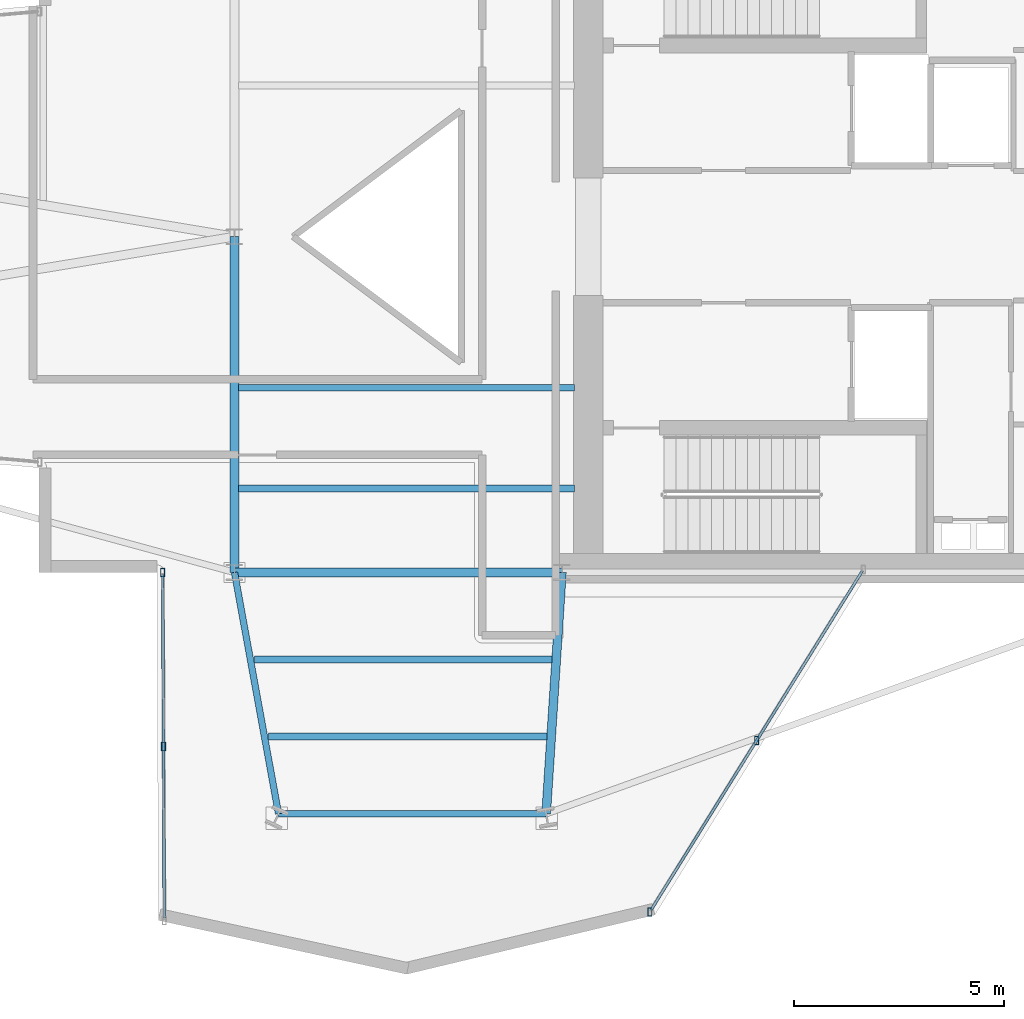
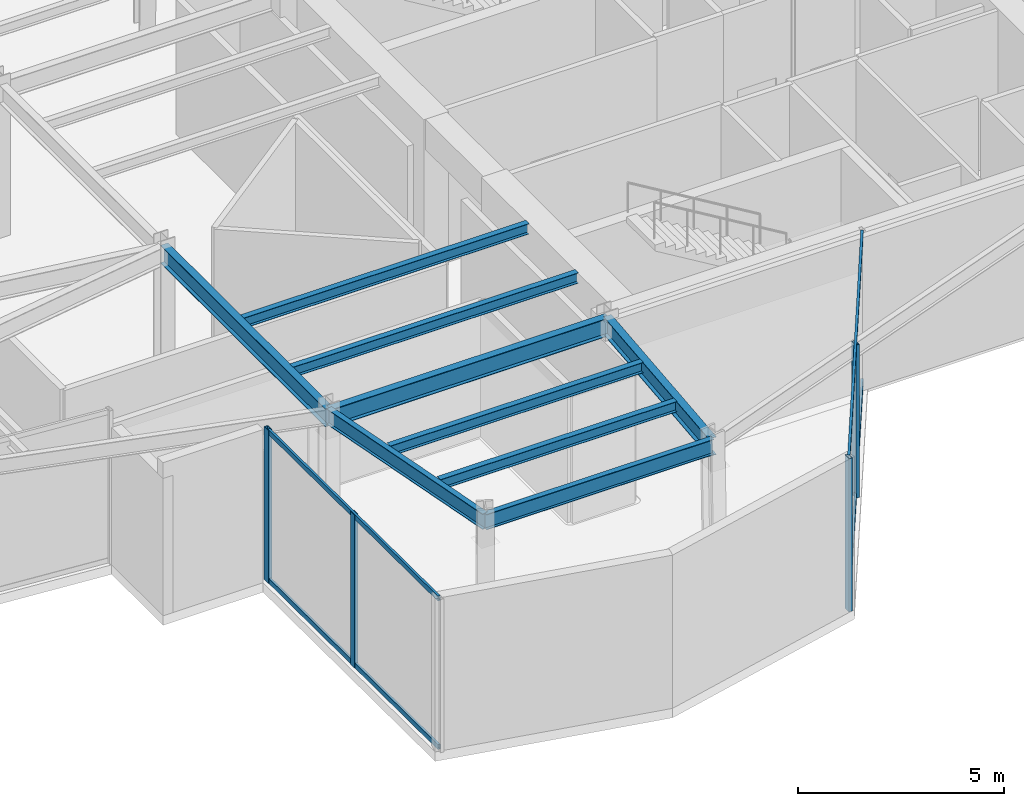
# One storey, part 3 of 14: 9 beams, 8 members, 2 elements without a shape of their own.
"""IFC4 building model written with IfcOpenShell, lengths in metres."""

from ifc_helpers import new_model, si_unit, direction, frame, origin, origin_2d, place, context, subcontext, project, spatial, hollow_rectangle, i_section, extrude, material, layer, layer_set, material_profile, profile_set, type_object, element, aggregate, save


model = new_model("IFC4")

# Units and contexts
model_context = context("Model", 3, precision=1e-05, world=origin(), true_north=direction((0.0, 1.0)))
body_context = subcontext(model_context, "Body", "Model", "MODEL_VIEW")
ifc_project = project(units=[si_unit("LENGTHUNIT", "METRE"), si_unit("AREAUNIT", "SQUARE_METRE"), si_unit("VOLUMEUNIT", "CUBIC_METRE"), si_unit("PLANEANGLEUNIT", "RADIAN"), si_unit("MASSUNIT", "GRAM", prefix="KILO")], contexts=[model_context])

# Site, building, storey
site_placement = place(None, origin())
site = spatial("IfcSite", under=ifc_project, at=site_placement, CompositionType="ELEMENT")
building_placement = place(site_placement, origin())
building = spatial("IfcBuilding", under=site, at=building_placement, Name="Veymaron Broadcast Tower", CompositionType="ELEMENT")
storey_placement = place(building_placement, frame((0.0, 0.0, 187.050048828125)))
storey = spatial("IfcBuildingStorey", under=building, at=storey_placement, Name="L43", CompositionType="ELEMENT", Elevation=187.050048828125)

# Beams
ifc_material_1 = material(Name="Structural steel ASTM A992 Gr 50", Category="steel")
ifc_material_profile_1 = material_profile(ifc_material_1, i_section(OverallWidth=0.2099609375, OverallDepth=0.537109375, WebThickness=0.010986328125, FlangeThickness=0.017333984375, at=origin_2d()), Name="W530X101")
ifc_profile_set_1 = profile_set([ifc_material_profile_1], Name="Structural steel ASTM A992 Gr 50")
beam_type_1 = type_object("IfcBeamType", Name="BM-FG3", PredefinedType="BEAM", material=ifc_profile_set_1)
beam_1_placement = place(storey_placement, frame((31.199951171875, 16.0, 4.271484375), z_axis=(0.0, 1.0, 0.0), x_axis=(-1.0, 0.0, 0.0)))
element("IfcBeam", 1, at=beam_1_placement, inside=storey, type_object=beam_type_1, Name="L43 primary structural floor girder", PredefinedType="BEAM", context=body_context, shape_type="SweptSolid", body=[
    extrude(i_section(OverallWidth=0.2099609375, OverallDepth=0.537109375, WebThickness=0.010986328125, FlangeThickness=0.017333984375, at=origin_2d()), origin(), (0.0, 0.0, 1.0), 8.0),
])
beam_2_placement = place(storey_placement, frame((31.199951171875, 16.0, 4.271484375), z_axis=(1.0, 0.0, 0.0), x_axis=(0.0, 1.0, 0.0)))
element("IfcBeam", 2, at=beam_2_placement, inside=storey, type_object=beam_type_1, Name="L43 primary structural floor girder", PredefinedType="BEAM", context=body_context, shape_type="SweptSolid", body=[
    extrude(i_section(OverallWidth=0.2099609375, OverallDepth=0.537109375, WebThickness=0.010986328125, FlangeThickness=0.017333984375, at=origin_2d()), origin(), (0.0, 0.0, 1.0), 7.800048828125),
])
beam_3_placement = place(storey_placement, frame((39.0, 16.0, 4.271484375), z_axis=(-0.065079137346, -0.997880105966, 0.0), x_axis=(0.997880105966, -0.065079137346, 0.0)))
element("IfcBeam", 3, at=beam_3_placement, inside=storey, type_object=beam_type_1, Name="L43 primary structural floor girder", PredefinedType="BEAM", context=body_context, shape_type="SweptSolid", body=[
    extrude(i_section(OverallWidth=0.2099609375, OverallDepth=0.537109375, WebThickness=0.010986328125, FlangeThickness=0.017333984375, at=origin_2d()), origin(), (0.0, 0.0, 1.0), 5.76220703125),
])
ifc_material_profile_2 = material_profile(ifc_material_1, i_section(OverallWidth=0.1650390625, OverallDepth=0.31005859375, WebThickness=0.005859375, FlangeThickness=0.009765625, at=origin_2d()), Name="W310X39")
ifc_profile_set_2 = profile_set([ifc_material_profile_2], Name="Structural steel ASTM A992 Gr 50")
beam_type_2 = type_object("IfcBeamType", Name="BM-JS3", PredefinedType="JOIST", material=ifc_profile_set_2)
beam_4_placement = place(storey_placement, frame((31.677978515625, 13.929931640625, 4.385009765625), z_axis=(1.0, 0.0, 0.0), x_axis=(0.0, 1.0, 0.0)))
element("IfcBeam", 4, at=beam_4_placement, inside=storey, type_object=beam_type_2, Name="L43 Arm-C secondary joist 1", PredefinedType="JOIST", context=body_context, shape_type="SweptSolid", body=[
    extrude(i_section(OverallWidth=0.1650390625, OverallDepth=0.31005859375, WebThickness=0.005859375, FlangeThickness=0.009765625, at=origin_2d()), origin(), (0.0, 0.0, 1.0), 7.0869140625),
])
beam_5_placement = place(storey_placement, frame((32.013916015625, 12.090087890625, 4.385009765625), z_axis=(1.0, 0.0, 0.0), x_axis=(0.0, 1.0, 0.0)))
element("IfcBeam", 5, at=beam_5_placement, inside=storey, type_object=beam_type_2, Name="L43 Arm-C secondary joist 2", PredefinedType="JOIST", context=body_context, shape_type="SweptSolid", body=[
    extrude(i_section(OverallWidth=0.1650390625, OverallDepth=0.31005859375, WebThickness=0.005859375, FlangeThickness=0.009765625, at=origin_2d()), origin(), (0.0, 0.0, 1.0), 6.631103515625),
])
for number, where, z_axis, x_axis, name in (
    (6, (31.300048828125, 18.0, 4.385009765625), (1.0, 0.0, 0.0), (0.0, 1.0, 0.0), "L43 Hub secondary joist 1"),
    (7, (31.300048828125, 20.39990234375, 4.385009765625), (1.0, 0.0, 0.0), (0.0, 1.0, 0.0), "L43 Hub secondary joist 2"),
):
    element("IfcBeam", number, at=place(storey_placement, frame(where, z_axis=z_axis, x_axis=x_axis)), inside=storey, type_object=beam_type_2, Name=name, PredefinedType="JOIST", context=body_context, shape_type="SweptSolid", body=[
        extrude(i_section(OverallWidth=0.1650390625, OverallDepth=0.31005859375, WebThickness=0.005859375, FlangeThickness=0.009765625, at=origin_2d()), origin(), (0.0, 0.0, 1.0), 8.0),
    ])
ifc_material_profile_3 = material_profile(ifc_material_1, i_section(OverallWidth=0.154052734375, OverallDepth=0.458984375, WebThickness=0.009033203125, FlangeThickness=0.015380859375, at=origin_2d()), Name="W460X68")
ifc_profile_set_3 = profile_set([ifc_material_profile_3], Name="Structural steel ASTM A992 Gr 50")
beam_type_3 = type_object("IfcBeamType", Name="BM-SP2", PredefinedType="SPANDREL", material=ifc_profile_set_3)
beam_6_placement = place(storey_placement, frame((31.199951171875, 16.0, 4.310546875), z_axis=(0.179646239371, -0.983731278693, 0.0), x_axis=(0.983731278693, 0.179646239371, 0.0)))
element("IfcBeam", 8, at=beam_6_placement, inside=storey, type_object=beam_type_3, Name="L43 primary structural floor girder", PredefinedType="SPANDREL", context=body_context, shape_type="SweptSolid", body=[
    extrude(i_section(OverallWidth=0.154052734375, OverallDepth=0.458984375, WebThickness=0.009033203125, FlangeThickness=0.015380859375, at=origin_2d()), origin(), (0.0, 0.0, 1.0), 5.844970703125),
])
beam_7_placement = place(storey_placement, frame((32.25, 10.25, 4.310546875), z_axis=(1.0, 0.0, 0.0), x_axis=(0.0, 1.0, 0.0)))
element("IfcBeam", 9, at=beam_7_placement, inside=storey, type_object=beam_type_3, Name="L43 primary structural floor girder", PredefinedType="SPANDREL", context=body_context, shape_type="SweptSolid", body=[
    extrude(i_section(OverallWidth=0.154052734375, OverallDepth=0.458984375, WebThickness=0.009033203125, FlangeThickness=0.015380859375, at=origin_2d()), origin(), (0.0, 0.0, 1.0), 6.375),
])

# Curtain wall, members
ifc_material_2 = material(Name="Anodised aluminium AA 6063-T6 and laminated low-E dark glass", Category="aluminium")
ifc_layer = layer(ifc_material_2, 0.179931640625)
ifc_layer_set = layer_set([ifc_layer], Name="Anodised aluminium AA 6063-T6 and laminated low-E dark glass")
curtain_wall_type = type_object("IfcCurtainWallType", Name="CW-SYS-04", PredefinedType="NOTDEFINED", material=ifc_layer_set)
curtain_wall_1_placement = place(storey_placement, origin())
curtain_wall_1 = element("IfcCurtainWall", 10, at=curtain_wall_1_placement, inside=storey, type_object=curtain_wall_type, Name="L43 dark-glass curtain wall CW-L43-E17-1", PredefinedType="NOTDEFINED")
ifc_material_3 = material(Name="Anodised aluminium AA 6063-T6", Category="aluminium")
ifc_material_profile_4 = material_profile(ifc_material_3, hollow_rectangle(XDim=0.10009765625, YDim=0.199951171875, WallThickness=0.010009765625, at=origin_2d()), Name="RHS200X100X10")
ifc_profile_set_4 = profile_set([ifc_material_profile_4], Name="Anodised aluminium AA 6063-T6")
member_type_1 = type_object("IfcMemberType", Name="CW-MUL-01", PredefinedType="MULLION", material=ifc_profile_set_4)
member_1_placement = place(storey_placement, frame((29.4892578125, 16.00048828125, 0.0), z_axis=(0.0, 0.0, 1.0), x_axis=(1.0, 0.0, 0.0)))
member_1 = element("IfcMember", 11, at=member_1_placement, type_object=member_type_1, Name="CW-L43-E17-1 mullion 0", PredefinedType="MULLION", context=body_context, shape_type="SweptSolid", body=[
    extrude(hollow_rectangle(XDim=0.10009765625, YDim=0.199951171875, WallThickness=0.010009765625, at=origin_2d()), origin(), (0.0, 0.0, 1.0), 4.5400390625),
])
member_2_placement = place(storey_placement, frame((29.508056640625, 11.85595703125, 0.0), z_axis=(0.0, 0.0, 1.0), x_axis=(1.0, 0.0, 0.0)))
member_2 = element("IfcMember", 12, at=member_2_placement, type_object=member_type_1, Name="CW-L43-E17-1 mullion 1", PredefinedType="MULLION", context=body_context, shape_type="SweptSolid", body=[
    extrude(hollow_rectangle(XDim=0.10009765625, YDim=0.199951171875, WallThickness=0.010009765625, at=origin_2d()), origin(), (0.0, 0.0, 1.0), 4.5400390625),
])

curtain_wall_2_placement = place(storey_placement, origin())
curtain_wall_2 = element("IfcCurtainWall", 13, at=curtain_wall_2_placement, inside=storey, type_object=curtain_wall_type, Name="L43 dark-glass curtain wall CW-L43-E20-1", PredefinedType="NOTDEFINED")
member_3_placement = place(storey_placement, frame((41.0966796875, 7.9130859375, 0.0), z_axis=(0.0, 0.0, 1.0), x_axis=(1.0, 0.0, 0.0)))
member_3 = element("IfcMember", 14, at=member_3_placement, type_object=member_type_1, Name="CW-L43-E20-1 mullion 0", PredefinedType="MULLION", context=body_context, shape_type="SweptSolid", body=[
    extrude(hollow_rectangle(XDim=0.10009765625, YDim=0.199951171875, WallThickness=0.010009765625, at=origin_2d()), origin(), (0.0, 0.0, 1.0), 4.5400390625),
])
member_4_placement = place(storey_placement, frame((43.6396484375, 11.99365234375, 0.0), z_axis=(0.0, 0.0, 1.0), x_axis=(1.0, 0.0, 0.0)))
member_4 = element("IfcMember", 15, at=member_4_placement, type_object=member_type_1, Name="CW-L43-E20-1 mullion 1", PredefinedType="MULLION", context=body_context, shape_type="SweptSolid", body=[
    extrude(hollow_rectangle(XDim=0.10009765625, YDim=0.199951171875, WallThickness=0.010009765625, at=origin_2d()), origin(), (0.0, 0.0, 1.0), 4.5400390625),
])

# Member
ifc_material_profile_5 = material_profile(ifc_material_3, hollow_rectangle(XDim=0.06494140625, YDim=0.14990234375, WallThickness=0.00390625, at=origin_2d()), Name="AL150X65X4")
ifc_profile_set_5 = profile_set([ifc_material_profile_5], Name="Anodised aluminium AA 6063-T6")
member_type_2 = type_object("IfcMemberType", Name="CW-TRN-01", PredefinedType="USERDEFINED", material=ifc_profile_set_5)
member_5_placement = place(storey_placement, frame((29.489501953125, 15.95068359375, 0.070068359375), z_axis=(0.004561261915, -0.999989597391, 0.0), x_axis=(0.999989597391, 0.004561261915, 0.0)))
member_5 = element("IfcMember", 16, at=member_5_placement, type_object=member_type_2, Name="CW-L43-E17-1 transom B", ObjectType="TRANSOM", PredefinedType="USERDEFINED", context=body_context, shape_type="SweptSolid", body=[
    extrude(hollow_rectangle(XDim=0.06494140625, YDim=0.14990234375, WallThickness=0.00390625, at=origin_2d()), origin(), (0.0, 0.0, 1.0), 8.189208984375),
])

member_6_placement = place(storey_placement, frame((29.489501953125, 15.95068359375, 4.469970703125), z_axis=(0.004561261915, -0.999989597391, 0.0), x_axis=(0.999989597391, 0.004561261915, 0.0)))
member_6 = element("IfcMember", 17, at=member_6_placement, type_object=member_type_2, Name="CW-L43-E17-1 transom T", ObjectType="TRANSOM", PredefinedType="USERDEFINED", context=body_context, shape_type="SweptSolid", body=[
    extrude(hollow_rectangle(XDim=0.06494140625, YDim=0.14990234375, WallThickness=0.00390625, at=origin_2d()), origin(), (0.0, 0.0, 1.0), 8.189208984375),
])

aggregate(curtain_wall_1, [member_1, member_2, member_5, member_6])

member_7_placement = place(storey_placement, frame((41.123046875, 7.95556640625, 0.070068359375), z_axis=(0.528921542315, 0.848670726534, 0.0), x_axis=(-0.848670726534, 0.528921542315, 0.0)))
member_7 = element("IfcMember", 18, at=member_7_placement, type_object=member_type_2, Name="CW-L43-E20-1 transom B", ObjectType="TRANSOM", PredefinedType="USERDEFINED", context=body_context, shape_type="SweptSolid", body=[
    extrude(hollow_rectangle(XDim=0.06494140625, YDim=0.14990234375, WallThickness=0.00390625, at=origin_2d()), origin(), (0.0, 0.0, 1.0), 9.515869140625),
])

member_8_placement = place(storey_placement, frame((41.123046875, 7.95556640625, 4.469970703125), z_axis=(0.528921542315, 0.848670726534, 0.0), x_axis=(-0.848670726534, 0.528921542315, 0.0)))
member_8 = element("IfcMember", 19, at=member_8_placement, type_object=member_type_2, Name="CW-L43-E20-1 transom T", ObjectType="TRANSOM", PredefinedType="USERDEFINED", context=body_context, shape_type="SweptSolid", body=[
    extrude(hollow_rectangle(XDim=0.06494140625, YDim=0.14990234375, WallThickness=0.00390625, at=origin_2d()), origin(), (0.0, 0.0, 1.0), 9.515869140625),
])

aggregate(curtain_wall_2, [member_3, member_4, member_7, member_8])

save(model, "model.ifc")
